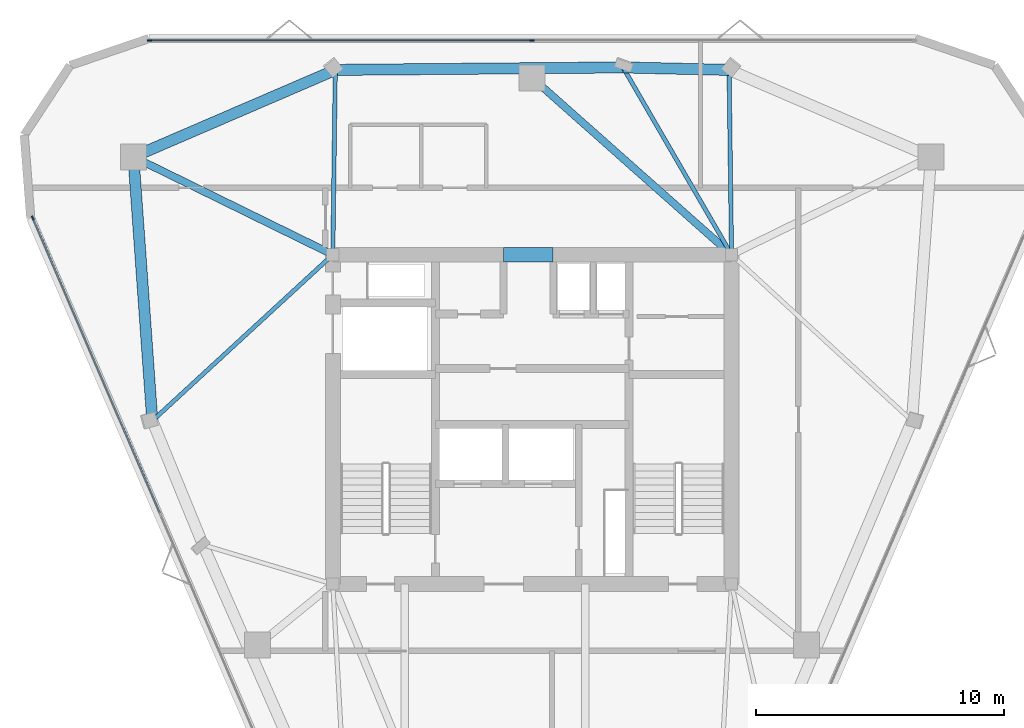
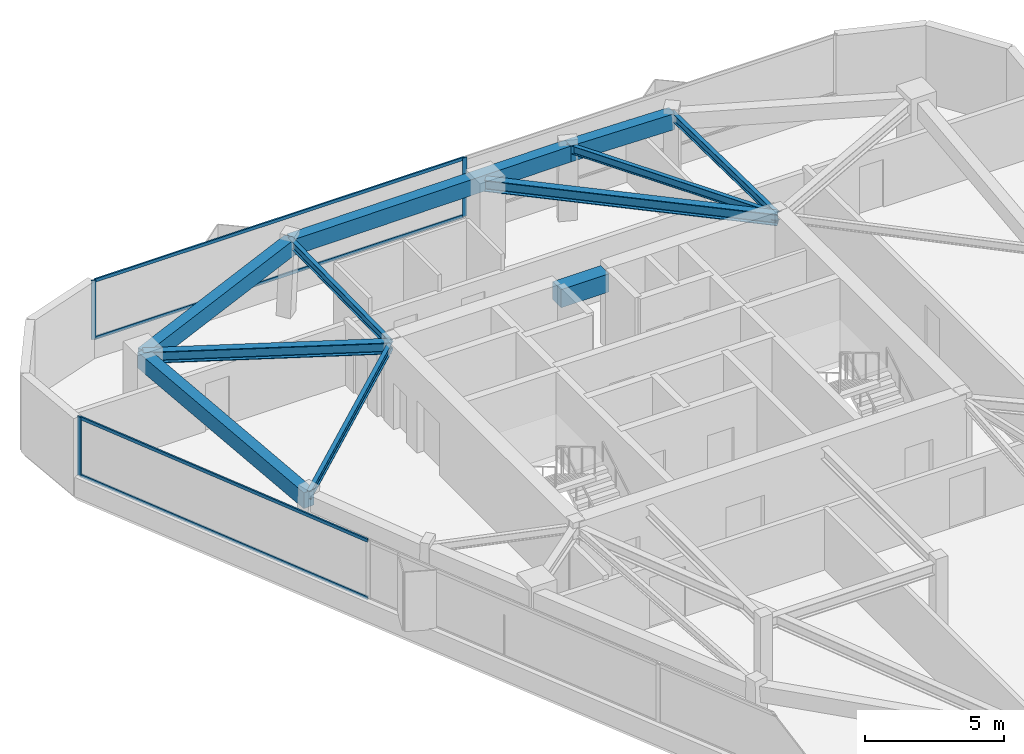
# One storey, part 4 of 9: 11 beams, 7 members, 2 elements without a shape of their own.
"""IFC4 building model written with IfcOpenShell, lengths in metres."""

import ifcopenshell
import ifcopenshell.guid

model = None  # the IFC model being written
_history = None  # IfcOwnerHistory: only IFC2X3 demands one
_inside = {}  # id of a spatial element -> (the spatial element, [elements in it])
_under = {}  # id of a project, library or spatial element -> (it, [spatial elements below it])
_declared = {}  # id of a project -> (the project, [libraries it declares])
_typed = {}  # id of a type object -> (the type object, [elements of that type])
_made_of = {}  # id of a material, layer set ... -> (it, [elements and type objects made of it])


def new_model(schema):
    """Start an empty IFC model of exactly this schema.

    Asked for "IFC4X3", IfcOpenShell would pick the latest addendum, in which some entities
    have other attributes; the version numbers below select the first issue.
    IFC2X3 requires an IfcOwnerHistory on every rooted entity: one is made here for all.
    """
    global model, _history
    if schema == "IFC4X3":
        model = ifcopenshell.file(schema_version=(4, 3, 0, 0))
    else:
        model = ifcopenshell.file(schema=schema)
    _inside.clear()
    _under.clear()
    _declared.clear()
    _typed.clear()
    _made_of.clear()
    _history = None
    if model.schema == "IFC2X3":
        org = make("IfcOrganization", Name="unknown")
        user = make(
            "IfcPersonAndOrganization",
            ThePerson=make("IfcPerson", FamilyName="unknown"),
            TheOrganization=org,
        )
        app = make(
            "IfcApplication",
            ApplicationDeveloper=org,
            Version="unknown",
            ApplicationFullName="unknown",
            ApplicationIdentifier="unknown",
        )
        _history = make(
            "IfcOwnerHistory",
            OwningUser=user,
            OwningApplication=app,
            ChangeAction="ADDED",
            CreationDate=0,
        )
    return model


def make(cls, **values):
    """One entity of the class cls with the attributes given. An attribute that is None is left unset."""
    return model.create_entity(
        cls, **{name: value for name, value in values.items() if value is not None}
    )


def rooted(cls, **values):
    """An entity with a GlobalId (a new one), such as an element, a storey or a relation."""
    return make(cls, GlobalId=ifcopenshell.guid.new(), OwnerHistory=_history, **values)


def si_unit(unit_type, name, prefix=None):
    """IfcSIUnit, for example si_unit("LENGTHUNIT", "METRE", prefix="MILLI")."""
    return make("IfcSIUnit", UnitType=unit_type, Prefix=prefix, Name=name)


def assignment(units):
    """IfcUnitAssignment: the units of a project."""
    return None if units is None else make("IfcUnitAssignment", Units=units)


def point(xyz):
    """IfcCartesianPoint."""
    return None if xyz is None else make("IfcCartesianPoint", Coordinates=xyz)


def direction(xyz):
    """IfcDirection."""
    return None if xyz is None else make("IfcDirection", DirectionRatios=xyz)


def frame(location, z_axis=None, x_axis=None):
    """IfcAxis2Placement3D, a coordinate frame: its origin and axes. An axis left out is left unset."""
    return make(
        "IfcAxis2Placement3D",
        Location=point(location),
        Axis=direction(z_axis),
        RefDirection=direction(x_axis),
    )


def frame_2d(location, x_axis=None):
    """IfcAxis2Placement2D, a coordinate frame in the plane: its origin and x axis."""
    return make(
        "IfcAxis2Placement2D", Location=point(location), RefDirection=direction(x_axis)
    )


def origin():
    """The frame at (0, 0, 0) with its axes left unset."""
    return frame((0.0, 0.0, 0.0))


def origin_2d():
    """The frame at (0, 0) in the plane with its x axis left unset."""
    return frame_2d((0.0, 0.0))


def place(relative_to, where):
    """IfcLocalPlacement: puts the frame where relative to a parent placement (None: the world)."""
    return make(
        "IfcLocalPlacement", PlacementRelTo=relative_to, RelativePlacement=where
    )


def context(
    kind, dimensions, precision=None, world=None, true_north=None, identifier=None
):
    """IfcGeometricRepresentationContext, for example the 3D "Model" context."""
    return make(
        "IfcGeometricRepresentationContext",
        ContextIdentifier=identifier,
        ContextType=kind,
        CoordinateSpaceDimension=dimensions,
        Precision=precision,
        WorldCoordinateSystem=world,
        TrueNorth=true_north,
    )


def subcontext(parent, identifier, kind, view, scale=None):
    """IfcGeometricRepresentationSubContext, for example "Body" below "Model"."""
    return make(
        "IfcGeometricRepresentationSubContext",
        ContextIdentifier=identifier,
        ContextType=kind,
        ParentContext=parent,
        TargetScale=scale,
        TargetView=view,
    )


def project(units=None, contexts=None):
    """IfcProject with its units and contexts."""
    return rooted(
        "IfcProject",
        Name="project",
        RepresentationContexts=contexts,
        UnitsInContext=assignment(units),
    )


def spatial(cls, under=None, at=None, **own):
    """A site, building, storey or space (cls), placed at a placement, below another one or the project."""
    s = rooted(cls, ObjectPlacement=at, **own)
    if under is not None:
        _under.setdefault(under.id(), (under, []))[1].append(s)
    return s


def profile(cls, at=None, kind="AREA", **sizes):
    """A parametric profile (cls). Its sizes go by their IFC names, for example OverallWidth=200.0."""
    return make(cls, ProfileType=kind, Position=at, **sizes)


def rectangle(**sizes):
    """IfcRectangleProfileDef."""
    return profile("IfcRectangleProfileDef", **sizes)


def i_section(**sizes):
    """IfcIShapeProfileDef."""
    return profile("IfcIShapeProfileDef", **sizes)


def extrude(swept, where, along, depth):
    """IfcExtrudedAreaSolid: the profile swept, set in the frame where, extruded along a direction by depth."""
    return make(
        "IfcExtrudedAreaSolid",
        SweptArea=swept,
        Position=where,
        ExtrudedDirection=direction(along),
        Depth=depth,
    )


def shape(context_of_items, identifier, shape_type, items):
    """IfcShapeRepresentation: the items that make up one representation, for example the "Body"."""
    return make(
        "IfcShapeRepresentation",
        ContextOfItems=context_of_items,
        RepresentationIdentifier=identifier,
        RepresentationType=shape_type,
        Items=items,
    )


def material(Name=None, Category=None):
    """IfcMaterial."""
    return make("IfcMaterial", Name=Name, Category=Category)


def layer(
    of_material, thickness, ventilated=None, Name=None, Category=None, Priority=None
):
    """IfcMaterialLayer: one layer of a wall or slab, of a material (None: an air gap)."""
    return make(
        "IfcMaterialLayer",
        Material=of_material,
        LayerThickness=thickness,
        IsVentilated=ventilated,
        Name=Name,
        Category=Category,
        Priority=Priority,
    )


def layer_set(layers, Name=None):
    """IfcMaterialLayerSet."""
    return make("IfcMaterialLayerSet", MaterialLayers=layers, LayerSetName=Name)


def material_profile(
    of_material, cross_section, Name=None, Category=None, Priority=None
):
    """IfcMaterialProfile: a cross section and its material."""
    return make(
        "IfcMaterialProfile",
        Name=Name,
        Material=of_material,
        Profile=cross_section,
        Priority=Priority,
        Category=Category,
    )


def profile_set(profiles, Name=None, composite=None):
    """IfcMaterialProfileSet."""
    return make(
        "IfcMaterialProfileSet",
        Name=Name,
        MaterialProfiles=profiles,
        CompositeProfile=composite,
    )


def made_of(thing, what):
    """Note that an element or type object is made of a material, layer set ...; save() writes the relation."""
    if what is not None:
        _made_of.setdefault(what.id(), (what, []))[1].append(thing)
    return thing


def type_object(cls, material=None, **own):
    """A type object (cls), such as IfcWallType, which elements share."""
    return made_of(rooted(cls, **own), material)


def element(
    cls,
    number,
    at=None,
    inside=None,
    cuts=None,
    type_object=None,
    material=None,
    context=None,
    identifier="Body",
    shape_type=None,
    held_by="IfcProductDefinitionShape",
    body=None,
    shapes=None,
    **own,
):
    """One element of the class cls, such as IfcWall. Its Tag is "e" and its number.

    at: its placement. inside: the storey or other place that contains it. cuts: it is an
    opening in that element (IfcRelVoidsElement). A single representation is given by context,
    identifier, shape_type and body (its items); several are given by shapes. held_by: the class
    of the entity that holds the representations. save() writes the other relations.
    """
    e = rooted(cls, Tag="e%d" % number, ObjectPlacement=at, **own)
    if body is not None:
        shapes = [shape(context, identifier, shape_type, body)]
    if shapes is not None:
        e.Representation = make(held_by, Representations=shapes)
    if inside is not None:
        _inside.setdefault(inside.id(), (inside, []))[1].append(e)
    if cuts is not None:
        rooted(
            "IfcRelVoidsElement", RelatingBuildingElement=cuts, RelatedOpeningElement=e
        )
    if type_object is not None:
        _typed.setdefault(type_object.id(), (type_object, []))[1].append(e)
    return made_of(e, material)


def aggregate(whole, parts):
    """IfcRelAggregates: a whole, such as a stair, and the parts it consists of."""
    return rooted("IfcRelAggregates", RelatingObject=whole, RelatedObjects=parts)


def save(model, path):
    """Write the relations noted so far, then the file.

    IfcRelAggregates (storeys below a building ...), IfcRelContainedInSpatialStructure (elements
    in a storey), IfcRelDefinesByType, IfcRelAssociatesMaterial and IfcRelDeclares: one each for
    every whole, place, type object, material and project.
    """
    for whole, parts in _under.values():
        aggregate(whole, parts)
    for where, things in _inside.values():
        rooted(
            "IfcRelContainedInSpatialStructure",
            RelatedElements=things,
            RelatingStructure=where,
        )
    for kind, things in _typed.values():
        rooted("IfcRelDefinesByType", RelatedObjects=things, RelatingType=kind)
    for what, things in _made_of.values():
        rooted("IfcRelAssociatesMaterial", RelatedObjects=things, RelatingMaterial=what)
    for by, libraries in _declared.values():
        rooted("IfcRelDeclares", RelatingContext=by, RelatedDefinitions=libraries)
    model.write(path)


model = new_model("IFC4")

# Units and contexts
model_context = context("Model", 3, precision=1e-05, world=origin(), true_north=direction((0.0, 1.0)))
body_context = subcontext(model_context, "Body", "Model", "MODEL_VIEW")
ifc_project = project(units=[si_unit("LENGTHUNIT", "METRE"), si_unit("AREAUNIT", "SQUARE_METRE"), si_unit("VOLUMEUNIT", "CUBIC_METRE"), si_unit("PLANEANGLEUNIT", "RADIAN"), si_unit("MASSUNIT", "GRAM", prefix="KILO")], contexts=[model_context])

# Site, building, storey
site_placement = place(None, origin())
site = spatial("IfcSite", under=ifc_project, at=site_placement, CompositionType="ELEMENT")
building_placement = place(site_placement, origin())
building = spatial("IfcBuilding", under=site, at=building_placement, Name="Talyreon Biosciences Tower", CompositionType="ELEMENT")
storey_placement = place(building_placement, frame((0.0, 0.0, 305.699951171875)))
storey = spatial("IfcBuildingStorey", under=building, at=storey_placement, Name="L81", CompositionType="ELEMENT", Elevation=305.699951171875)

# Curtain wall, member
ifc_material_1 = material(Name="Thermally broken aluminium and low-E glazing", Category="aluminium")
ifc_layer = layer(ifc_material_1, 0.175048828125)
ifc_layer_set = layer_set([ifc_layer], Name="Thermally broken aluminium and low-E glazing")
curtain_wall_type = type_object("IfcCurtainWallType", Name="CurtainWall_Zone5CompLab", PredefinedType="NOTDEFINED", material=ifc_layer_set)
curtain_wall_1_placement = place(storey_placement, origin())
curtain_wall_1 = element("IfcCurtainWall", 1, at=curtain_wall_1_placement, inside=storey, type_object=curtain_wall_type, Name="L81 Unitised Curtain Wall FCW-L81-00", PredefinedType="NOTDEFINED")
ifc_material_2 = material(Name="Anodised thermally broken aluminium", Category="aluminium")
ifc_material_profile_1 = material_profile(ifc_material_2, rectangle(XDim=0.06494140625, YDim=0.179931640625, at=origin_2d()), Name="ALUM MULLION 65x180")
ifc_profile_set_1 = profile_set([ifc_material_profile_1], Name="Anodised thermally broken aluminium")
member_type_1 = type_object("IfcMemberType", Name="CWMullion_65x180", PredefinedType="MULLION", material=ifc_profile_set_1)
member_1_placement = place(storey_placement, frame((45.833984375, 76.12744140625, 0.81005859375), z_axis=(0.0, 0.0, 1.0), x_axis=(-0.918363311246, -0.395738333444, 0.0)))
member_1 = element("IfcMember", 2, at=member_1_placement, type_object=member_type_1, Name="CW6 mullion 4", PredefinedType="MULLION", context=body_context, shape_type="SweptSolid", body=[
    extrude(rectangle(XDim=0.06494140625, YDim=0.179931640625, at=origin_2d()), origin(), (0.0, 0.0, 1.0), 2.590087890625),
])

# Curtain wall, members
curtain_wall_2_placement = place(storey_placement, origin())
curtain_wall_2 = element("IfcCurtainWall", 3, at=curtain_wall_2_placement, inside=storey, type_object=curtain_wall_type, Name="L81 Unitised Curtain Wall FCW-L81-04", PredefinedType="NOTDEFINED")
member_2_placement = place(storey_placement, frame((50.5556640625, 83.303466796875, 0.81005859375), z_axis=(0.0, 0.0, 1.0), x_axis=(0.0, 1.0, 0.0)))
member_2 = element("IfcMember", 4, at=member_2_placement, type_object=member_type_1, Name="CW6 mullion 1", PredefinedType="MULLION", context=body_context, shape_type="SweptSolid", body=[
    extrude(rectangle(XDim=0.06494140625, YDim=0.179931640625, at=origin_2d()), origin(), (0.0, 0.0, 1.0), 2.590087890625),
])
member_3_placement = place(storey_placement, frame((66.0, 83.303466796875, 0.81005859375), z_axis=(0.0, 0.0, 1.0), x_axis=(0.0, 1.0, 0.0)))
member_3 = element("IfcMember", 5, at=member_3_placement, type_object=member_type_1, Name="CW6 mullion 2", PredefinedType="MULLION", context=body_context, shape_type="SweptSolid", body=[
    extrude(rectangle(XDim=0.06494140625, YDim=0.179931640625, at=origin_2d()), origin(), (0.0, 0.0, 1.0), 2.590087890625),
])

# Member
ifc_material_profile_2 = material_profile(ifc_material_2, rectangle(XDim=0.06494140625, YDim=0.139892578125, at=origin_2d()), Name="ALUM TRANSOM 65x140")
ifc_profile_set_2 = profile_set([ifc_material_profile_2], Name="Anodised thermally broken aluminium")
member_type_2 = type_object("IfcMemberType", Name="CWTransom_65x140", PredefinedType="USERDEFINED", material=ifc_profile_set_2)
member_4_placement = place(storey_placement, frame((50.96728515625, 64.215087890625, 0.842529296875), z_axis=(-0.395735791356, 0.918364406671, 0.0), x_axis=(-0.918364406671, -0.395735791356, 0.0)))
member_4 = element("IfcMember", 6, at=member_4_placement, type_object=member_type_2, Name="CW6 transom 3.1", ObjectType="TRANSOM", PredefinedType="USERDEFINED", context=body_context, shape_type="SweptSolid", body=[
    extrude(rectangle(XDim=0.06494140625, YDim=0.139892578125, at=origin_2d()), origin(), (0.0, 0.0, 1.0), 12.938720703125),
])

member_5_placement = place(storey_placement, frame((50.96728515625, 64.215087890625, 3.367431640625), z_axis=(-0.395735791356, 0.918364406671, 0.0), x_axis=(-0.918364406671, -0.395735791356, 0.0)))
member_5 = element("IfcMember", 7, at=member_5_placement, type_object=member_type_2, Name="CW6 transom 3.2", ObjectType="TRANSOM", PredefinedType="USERDEFINED", context=body_context, shape_type="SweptSolid", body=[
    extrude(rectangle(XDim=0.06494140625, YDim=0.139892578125, at=origin_2d()), origin(), (0.0, 0.0, 1.0), 12.938720703125),
])

aggregate(curtain_wall_1, [member_1, member_4, member_5])

member_6_placement = place(storey_placement, frame((50.588134765625, 83.303466796875, 0.842529296875), z_axis=(1.0, 0.0, 0.0), x_axis=(0.0, 1.0, 0.0)))
member_6 = element("IfcMember", 8, at=member_6_placement, type_object=member_type_2, Name="CW6 transom 1.1", ObjectType="TRANSOM", PredefinedType="USERDEFINED", context=body_context, shape_type="SweptSolid", body=[
    extrude(rectangle(XDim=0.06494140625, YDim=0.139892578125, at=origin_2d()), origin(), (0.0, 0.0, 1.0), 15.37939453125),
])

member_7_placement = place(storey_placement, frame((50.588134765625, 83.303466796875, 3.367431640625), z_axis=(1.0, 0.0, 0.0), x_axis=(0.0, 1.0, 0.0)))
member_7 = element("IfcMember", 9, at=member_7_placement, type_object=member_type_2, Name="CW6 transom 1.2", ObjectType="TRANSOM", PredefinedType="USERDEFINED", context=body_context, shape_type="SweptSolid", body=[
    extrude(rectangle(XDim=0.06494140625, YDim=0.139892578125, at=origin_2d()), origin(), (0.0, 0.0, 1.0), 15.37939453125),
])

aggregate(curtain_wall_2, [member_2, member_3, member_6, member_7])

# Beams
ifc_material_3 = material(Name="Concrete C50/60", Category="concrete")
ifc_material_profile_3 = material_profile(ifc_material_3, rectangle(XDim=0.60009765625, YDim=0.800048828125, at=origin_2d()), Name="RCB 600x800")
ifc_profile_set_3 = profile_set([ifc_material_profile_3], Name="Concrete C50/60")
beam_type_1 = type_object("IfcBeamType", Name="CoreCouplingLintel_600x800", PredefinedType="LINTEL", material=ifc_profile_set_3)
beam_1_placement = place(storey_placement, frame((64.85009765625, 74.64990234375, 3.0), z_axis=(1.0, 0.0, 0.0), x_axis=(0.0, 1.0, 0.0)))
element("IfcBeam", 10, at=beam_1_placement, inside=storey, type_object=beam_type_1, Name="L81 Core Coupling Lintel", PredefinedType="LINTEL", context=body_context, shape_type="SweptSolid", body=[
    extrude(rectangle(XDim=0.60009765625, YDim=0.800048828125, at=origin_2d()), origin(), (0.0, 0.0, 1.0), 2.0),
])
ifc_material_4 = material(Name="Precast concrete C45/55", Category="concrete")
ifc_material_profile_4 = material_profile(ifc_material_4, rectangle(XDim=0.449951171875, YDim=0.699951171875, at=origin_2d()), Name="RCB 450x700")
ifc_profile_set_4 = profile_set([ifc_material_profile_4], Name="Precast concrete C45/55")
beam_type_2 = type_object("IfcBeamType", Name="ExpressedSpandrel_450x700", PredefinedType="SPANDREL", material=ifc_profile_set_4)
beam_2_placement = place(storey_placement, frame((73.949951171875, 82.111083984375, 3.050048828125), z_axis=(-0.999726726409, 0.02337675133, 0.0), x_axis=(-0.02337675133, -0.999726726409, 0.0)))
element("IfcBeam", 11, at=beam_2_placement, inside=storey, type_object=beam_type_2, Name="L81 Expressed Horizontal Concrete Spandrel 06", PredefinedType="SPANDREL", context=body_context, shape_type="SweptSolid", body=[
    extrude(rectangle(XDim=0.449951171875, YDim=0.699951171875, at=origin_2d()), origin(), (0.0, 0.0, 1.0), 4.281982421875),
])
beam_3_placement = place(storey_placement, frame((69.669189453125, 82.211181640625, 3.050048828125), z_axis=(-0.999962893872, -0.008614573594, 0.0), x_axis=(0.008614573594, -0.999962893872, 0.0)))
element("IfcBeam", 12, at=beam_3_placement, inside=storey, type_object=beam_type_2, Name="L81 Expressed Horizontal Concrete Spandrel 07", PredefinedType="SPANDREL", context=body_context, shape_type="SweptSolid", body=[
    extrude(rectangle(XDim=0.449951171875, YDim=0.699951171875, at=origin_2d()), origin(), (0.0, 0.0, 1.0), 11.61962890625),
])
beam_4_placement = place(storey_placement, frame((58.050048828125, 82.111083984375, 3.050048828125), z_axis=(-0.91838509397, -0.395687779916, 0.0), x_axis=(0.395687779916, -0.91838509397, 0.0)))
element("IfcBeam", 13, at=beam_4_placement, inside=storey, type_object=beam_type_2, Name="L81 Expressed Horizontal Concrete Spandrel 08", PredefinedType="SPANDREL", context=body_context, shape_type="SweptSolid", body=[
    extrude(rectangle(XDim=0.449951171875, YDim=0.699951171875, at=origin_2d()), origin(), (0.0, 0.0, 1.0), 8.876708984375),
])
beam_5_placement = place(storey_placement, frame((49.897705078125, 78.5986328125, 3.050048828125), z_axis=(0.071445140362, -0.997444530748, 0.0), x_axis=(0.997444530748, 0.071445140362, 0.0)))
element("IfcBeam", 14, at=beam_5_placement, inside=storey, type_object=beam_type_2, Name="L81 Expressed Horizontal Concrete Spandrel 09", PredefinedType="SPANDREL", context=body_context, shape_type="SweptSolid", body=[
    extrude(rectangle(XDim=0.449951171875, YDim=0.699951171875, at=origin_2d()), origin(), (0.0, 0.0, 1.0), 10.685546875),
])
ifc_material_5 = material(Name="Steel SM355", Category="steel")
ifc_material_profile_5 = material_profile(ifc_material_5, i_section(OverallWidth=0.300048828125, OverallDepth=0.5, WebThickness=0.014404296875, FlangeThickness=0.028076171875, FilletRadius=0.027099609375, at=origin_2d()), Name="HE500B")
ifc_profile_set_5 = profile_set([ifc_material_profile_5], Name="Steel SM355")
beam_type_3 = type_object("IfcBeamType", Name="SteelBeam_HE500B", PredefinedType="BEAM", material=ifc_profile_set_5)
beam_6_placement = place(storey_placement, frame((74.050048828125, 74.64990234375, 3.150146484375), z_axis=(-0.748178733955, 0.663497235908, 0.0), x_axis=(-0.663497235908, -0.748178733955, 0.0)))
element("IfcBeam", 15, at=beam_6_placement, inside=storey, type_object=beam_type_3, Name="L81 Radial Primary Girder 4", PredefinedType="BEAM", context=body_context, shape_type="SweptSolid", body=[
    extrude(i_section(OverallWidth=0.300048828125, OverallDepth=0.5, WebThickness=0.014404296875, FlangeThickness=0.028076171875, FilletRadius=0.027099609375, at=origin_2d()), origin(), (0.0, 0.0, 1.0), 10.759521484375),
])
beam_7_placement = place(storey_placement, frame((57.949951171875, 74.64990234375, 3.150146484375), z_axis=(-0.897852360314, 0.440296648952, 0.0), x_axis=(-0.440296648952, -0.897852360314, 0.0)))
element("IfcBeam", 16, at=beam_7_placement, inside=storey, type_object=beam_type_3, Name="L81 Radial Primary Girder 5", PredefinedType="BEAM", context=body_context, shape_type="SweptSolid", body=[
    extrude(i_section(OverallWidth=0.300048828125, OverallDepth=0.5, WebThickness=0.014404296875, FlangeThickness=0.028076171875, FilletRadius=0.027099609375, at=origin_2d()), origin(), (0.0, 0.0, 1.0), 8.96826171875),
])
ifc_material_profile_6 = material_profile(ifc_material_5, i_section(OverallWidth=0.169921875, OverallDepth=0.360107421875, WebThickness=0.008056640625, FlangeThickness=0.0126953125, FilletRadius=0.01806640625, at=origin_2d()), Name="IPE360")
ifc_profile_set_6 = profile_set([ifc_material_profile_6], Name="Steel SM355")
beam_type_4 = type_object("IfcBeamType", Name="SteelJoist_IPE360", PredefinedType="JOIST", material=ifc_profile_set_6)
beam_8_placement = place(storey_placement, frame((74.050048828125, 74.64990234375, 3.219970703125), z_axis=(-0.013414584221, 0.999910020417, 0.0), x_axis=(-0.999910020417, -0.013414584221, 0.0)))
element("IfcBeam", 17, at=beam_8_placement, inside=storey, type_object=beam_type_4, Name="L81 Radial Composite Floor Joist PC-N1", PredefinedType="JOIST", context=body_context, shape_type="SweptSolid", body=[
    extrude(i_section(OverallWidth=0.169921875, OverallDepth=0.360107421875, WebThickness=0.008056640625, FlangeThickness=0.0126953125, FilletRadius=0.01806640625, at=origin_2d()), origin(), (0.0, 0.0, 1.0), 7.4619140625),
])
beam_9_placement = place(storey_placement, frame((74.050048828125, 74.64990234375, 3.219970703125), z_axis=(-0.501317071885, 0.865263655447, 0.0), x_axis=(-0.865263655447, -0.501317071885, 0.0)))
element("IfcBeam", 18, at=beam_9_placement, inside=storey, type_object=beam_type_4, Name="L81 Radial Composite Floor Joist PL-N", PredefinedType="JOIST", context=body_context, shape_type="SweptSolid", body=[
    extrude(i_section(OverallWidth=0.169921875, OverallDepth=0.360107421875, WebThickness=0.008056640625, FlangeThickness=0.0126953125, FilletRadius=0.01806640625, at=origin_2d()), origin(), (0.0, 0.0, 1.0), 8.73876953125),
])
beam_10_placement = place(storey_placement, frame((57.949951171875, 74.64990234375, 3.219970703125), z_axis=(0.013414584221, 0.999910020417, 0.0), x_axis=(-0.999910020417, 0.013414584221, 0.0)))
element("IfcBeam", 19, at=beam_10_placement, inside=storey, type_object=beam_type_4, Name="L81 Radial Composite Floor Joist PC-N2", PredefinedType="JOIST", context=body_context, shape_type="SweptSolid", body=[
    extrude(i_section(OverallWidth=0.169921875, OverallDepth=0.360107421875, WebThickness=0.008056640625, FlangeThickness=0.0126953125, FilletRadius=0.01806640625, at=origin_2d()), origin(), (0.0, 0.0, 1.0), 7.4619140625),
])
beam_11_placement = place(storey_placement, frame((57.949951171875, 74.64990234375, 3.219970703125), z_axis=(-0.735741883218, -0.677262047717, 0.0), x_axis=(0.677262047717, -0.735741883218, 0.0)))
element("IfcBeam", 20, at=beam_11_placement, inside=storey, type_object=beam_type_4, Name="L81 Radial Composite Floor Joist PC-SW1", PredefinedType="JOIST", context=body_context, shape_type="SweptSolid", body=[
    extrude(i_section(OverallWidth=0.169921875, OverallDepth=0.360107421875, WebThickness=0.008056640625, FlangeThickness=0.0126953125, FilletRadius=0.01806640625, at=origin_2d()), origin(), (0.0, 0.0, 1.0), 9.90673828125),
])

save(model, "model.ifc")
